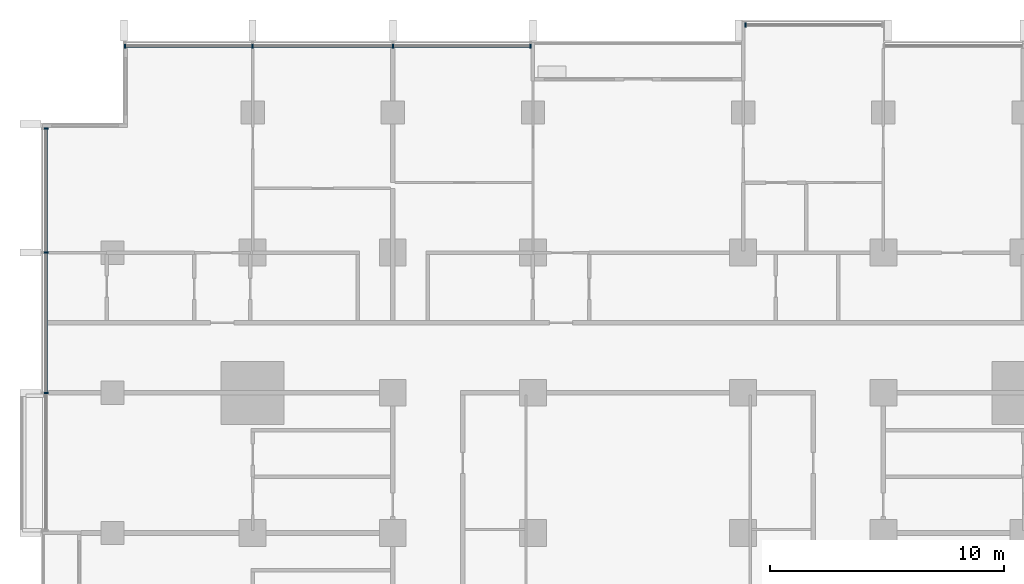
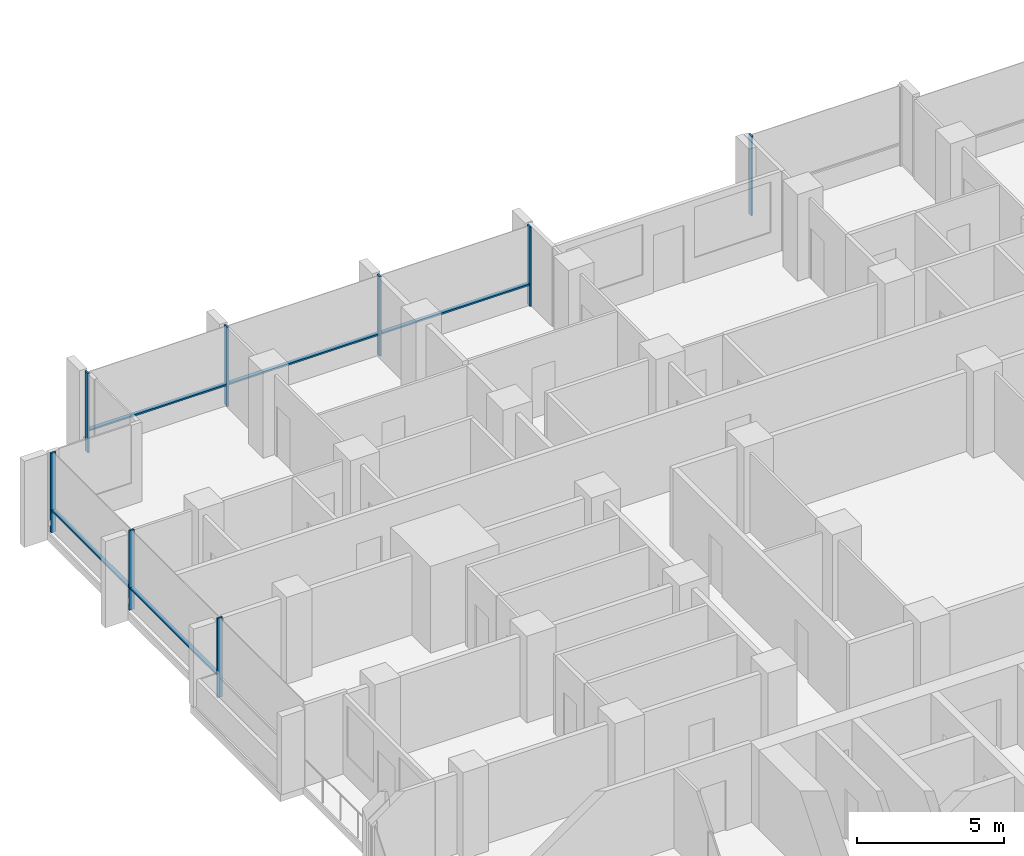
# One storey, part 4 of 17: 13 members, 3 elements without a shape of their own.
"""IFC4 building model written with IfcOpenShell, lengths in metres."""

import ifcopenshell
import ifcopenshell.guid

model = None  # the IFC model being written
_history = None  # IfcOwnerHistory: only IFC2X3 demands one
_inside = {}  # id of a spatial element -> (the spatial element, [elements in it])
_under = {}  # id of a project, library or spatial element -> (it, [spatial elements below it])
_declared = {}  # id of a project -> (the project, [libraries it declares])
_typed = {}  # id of a type object -> (the type object, [elements of that type])
_made_of = {}  # id of a material, layer set ... -> (it, [elements and type objects made of it])


def new_model(schema):
    """Start an empty IFC model of exactly this schema.

    Asked for "IFC4X3", IfcOpenShell would pick the latest addendum, in which some entities
    have other attributes; the version numbers below select the first issue.
    IFC2X3 requires an IfcOwnerHistory on every rooted entity: one is made here for all.
    """
    global model, _history
    if schema == "IFC4X3":
        model = ifcopenshell.file(schema_version=(4, 3, 0, 0))
    else:
        model = ifcopenshell.file(schema=schema)
    _inside.clear()
    _under.clear()
    _declared.clear()
    _typed.clear()
    _made_of.clear()
    _history = None
    if model.schema == "IFC2X3":
        org = make("IfcOrganization", Name="unknown")
        user = make(
            "IfcPersonAndOrganization",
            ThePerson=make("IfcPerson", FamilyName="unknown"),
            TheOrganization=org,
        )
        app = make(
            "IfcApplication",
            ApplicationDeveloper=org,
            Version="unknown",
            ApplicationFullName="unknown",
            ApplicationIdentifier="unknown",
        )
        _history = make(
            "IfcOwnerHistory",
            OwningUser=user,
            OwningApplication=app,
            ChangeAction="ADDED",
            CreationDate=0,
        )
    return model


def make(cls, **values):
    """One entity of the class cls with the attributes given. An attribute that is None is left unset."""
    return model.create_entity(
        cls, **{name: value for name, value in values.items() if value is not None}
    )


def rooted(cls, **values):
    """An entity with a GlobalId (a new one), such as an element, a storey or a relation."""
    return make(cls, GlobalId=ifcopenshell.guid.new(), OwnerHistory=_history, **values)


def si_unit(unit_type, name, prefix=None):
    """IfcSIUnit, for example si_unit("LENGTHUNIT", "METRE", prefix="MILLI")."""
    return make("IfcSIUnit", UnitType=unit_type, Prefix=prefix, Name=name)


def assignment(units):
    """IfcUnitAssignment: the units of a project."""
    return None if units is None else make("IfcUnitAssignment", Units=units)


def point(xyz):
    """IfcCartesianPoint."""
    return None if xyz is None else make("IfcCartesianPoint", Coordinates=xyz)


def direction(xyz):
    """IfcDirection."""
    return None if xyz is None else make("IfcDirection", DirectionRatios=xyz)


def frame(location, z_axis=None, x_axis=None):
    """IfcAxis2Placement3D, a coordinate frame: its origin and axes. An axis left out is left unset."""
    return make(
        "IfcAxis2Placement3D",
        Location=point(location),
        Axis=direction(z_axis),
        RefDirection=direction(x_axis),
    )


def frame_2d(location, x_axis=None):
    """IfcAxis2Placement2D, a coordinate frame in the plane: its origin and x axis."""
    return make(
        "IfcAxis2Placement2D", Location=point(location), RefDirection=direction(x_axis)
    )


def origin():
    """The frame at (0, 0, 0) with its axes left unset."""
    return frame((0.0, 0.0, 0.0))


def origin_2d():
    """The frame at (0, 0) in the plane with its x axis left unset."""
    return frame_2d((0.0, 0.0))


def place(relative_to, where):
    """IfcLocalPlacement: puts the frame where relative to a parent placement (None: the world)."""
    return make(
        "IfcLocalPlacement", PlacementRelTo=relative_to, RelativePlacement=where
    )


def context(
    kind, dimensions, precision=None, world=None, true_north=None, identifier=None
):
    """IfcGeometricRepresentationContext, for example the 3D "Model" context."""
    return make(
        "IfcGeometricRepresentationContext",
        ContextIdentifier=identifier,
        ContextType=kind,
        CoordinateSpaceDimension=dimensions,
        Precision=precision,
        WorldCoordinateSystem=world,
        TrueNorth=true_north,
    )


def subcontext(parent, identifier, kind, view, scale=None):
    """IfcGeometricRepresentationSubContext, for example "Body" below "Model"."""
    return make(
        "IfcGeometricRepresentationSubContext",
        ContextIdentifier=identifier,
        ContextType=kind,
        ParentContext=parent,
        TargetScale=scale,
        TargetView=view,
    )


def project(units=None, contexts=None):
    """IfcProject with its units and contexts."""
    return rooted(
        "IfcProject",
        Name="project",
        RepresentationContexts=contexts,
        UnitsInContext=assignment(units),
    )


def spatial(cls, under=None, at=None, **own):
    """A site, building, storey or space (cls), placed at a placement, below another one or the project."""
    s = rooted(cls, ObjectPlacement=at, **own)
    if under is not None:
        _under.setdefault(under.id(), (under, []))[1].append(s)
    return s


def profile(cls, at=None, kind="AREA", **sizes):
    """A parametric profile (cls). Its sizes go by their IFC names, for example OverallWidth=200.0."""
    return make(cls, ProfileType=kind, Position=at, **sizes)


def rectangle(**sizes):
    """IfcRectangleProfileDef."""
    return profile("IfcRectangleProfileDef", **sizes)


def extrude(swept, where, along, depth):
    """IfcExtrudedAreaSolid: the profile swept, set in the frame where, extruded along a direction by depth."""
    return make(
        "IfcExtrudedAreaSolid",
        SweptArea=swept,
        Position=where,
        ExtrudedDirection=direction(along),
        Depth=depth,
    )


def shape(context_of_items, identifier, shape_type, items):
    """IfcShapeRepresentation: the items that make up one representation, for example the "Body"."""
    return make(
        "IfcShapeRepresentation",
        ContextOfItems=context_of_items,
        RepresentationIdentifier=identifier,
        RepresentationType=shape_type,
        Items=items,
    )


def material(Name=None, Category=None):
    """IfcMaterial."""
    return make("IfcMaterial", Name=Name, Category=Category)


def material_profile(
    of_material, cross_section, Name=None, Category=None, Priority=None
):
    """IfcMaterialProfile: a cross section and its material."""
    return make(
        "IfcMaterialProfile",
        Name=Name,
        Material=of_material,
        Profile=cross_section,
        Priority=Priority,
        Category=Category,
    )


def profile_set(profiles, Name=None, composite=None):
    """IfcMaterialProfileSet."""
    return make(
        "IfcMaterialProfileSet",
        Name=Name,
        MaterialProfiles=profiles,
        CompositeProfile=composite,
    )


def made_of(thing, what):
    """Note that an element or type object is made of a material, layer set ...; save() writes the relation."""
    if what is not None:
        _made_of.setdefault(what.id(), (what, []))[1].append(thing)
    return thing


def type_object(cls, material=None, **own):
    """A type object (cls), such as IfcWallType, which elements share."""
    return made_of(rooted(cls, **own), material)


def element(
    cls,
    number,
    at=None,
    inside=None,
    cuts=None,
    type_object=None,
    material=None,
    context=None,
    identifier="Body",
    shape_type=None,
    held_by="IfcProductDefinitionShape",
    body=None,
    shapes=None,
    **own,
):
    """One element of the class cls, such as IfcWall. Its Tag is "e" and its number.

    at: its placement. inside: the storey or other place that contains it. cuts: it is an
    opening in that element (IfcRelVoidsElement). A single representation is given by context,
    identifier, shape_type and body (its items); several are given by shapes. held_by: the class
    of the entity that holds the representations. save() writes the other relations.
    """
    e = rooted(cls, Tag="e%d" % number, ObjectPlacement=at, **own)
    if body is not None:
        shapes = [shape(context, identifier, shape_type, body)]
    if shapes is not None:
        e.Representation = make(held_by, Representations=shapes)
    if inside is not None:
        _inside.setdefault(inside.id(), (inside, []))[1].append(e)
    if cuts is not None:
        rooted(
            "IfcRelVoidsElement", RelatingBuildingElement=cuts, RelatedOpeningElement=e
        )
    if type_object is not None:
        _typed.setdefault(type_object.id(), (type_object, []))[1].append(e)
    return made_of(e, material)


def aggregate(whole, parts):
    """IfcRelAggregates: a whole, such as a stair, and the parts it consists of."""
    return rooted("IfcRelAggregates", RelatingObject=whole, RelatedObjects=parts)


def save(model, path):
    """Write the relations noted so far, then the file.

    IfcRelAggregates (storeys below a building ...), IfcRelContainedInSpatialStructure (elements
    in a storey), IfcRelDefinesByType, IfcRelAssociatesMaterial and IfcRelDeclares: one each for
    every whole, place, type object, material and project.
    """
    for whole, parts in _under.values():
        aggregate(whole, parts)
    for where, things in _inside.values():
        rooted(
            "IfcRelContainedInSpatialStructure",
            RelatedElements=things,
            RelatingStructure=where,
        )
    for kind, things in _typed.values():
        rooted("IfcRelDefinesByType", RelatedObjects=things, RelatingType=kind)
    for what, things in _made_of.values():
        rooted("IfcRelAssociatesMaterial", RelatedObjects=things, RelatingMaterial=what)
    for by, libraries in _declared.values():
        rooted("IfcRelDeclares", RelatingContext=by, RelatedDefinitions=libraries)
    model.write(path)


model = new_model("IFC4")

# Units and contexts
model_context = context("Model", 3, precision=1e-05, world=origin(), true_north=direction((0.0, 1.0)))
body_context = subcontext(model_context, "Body", "Model", "MODEL_VIEW")
ifc_project = project(units=[si_unit("LENGTHUNIT", "METRE"), si_unit("AREAUNIT", "SQUARE_METRE"), si_unit("VOLUMEUNIT", "CUBIC_METRE"), si_unit("PLANEANGLEUNIT", "RADIAN"), si_unit("MASSUNIT", "GRAM", prefix="KILO")], contexts=[model_context])

# Site, building, storey
site_placement = place(None, origin())
site = spatial("IfcSite", under=ifc_project, at=site_placement, CompositionType="ELEMENT")
building_placement = place(site_placement, origin())
building = spatial("IfcBuilding", under=site, at=building_placement, Name="Finial Court Residences", CompositionType="ELEMENT")
storey_placement = place(building_placement, frame((0.0, 0.0, 99.10009765625)))
storey = spatial("IfcBuildingStorey", under=building, at=storey_placement, Name="L24", CompositionType="ELEMENT", Elevation=99.10009765625)

# Curtain wall, members
ifc_material = material(Name="Bronze anodised aluminium", Category="aluminium")
curtain_wall_type = type_object("IfcCurtainWallType", Name="Unitised curtain wall, lower and middle zones", PredefinedType="NOTDEFINED", material=ifc_material)
curtain_wall_1_placement = place(storey_placement, origin())
curtain_wall_1 = element("IfcCurtainWall", 1, at=curtain_wall_1_placement, inside=storey, type_object=curtain_wall_type, Name="E-L24-CW-N1", PredefinedType="NOTDEFINED")
ifc_material_profile_1 = material_profile(ifc_material, rectangle(XDim=0.199951171875, YDim=0.06494140625, at=origin_2d()), Name="CW1 mullion 65 x 200")
ifc_profile_set_1 = profile_set([ifc_material_profile_1], Name="Bronze anodised aluminium")
member_type_1 = type_object("IfcMemberType", Name="CW1 mullion 65 x 200", PredefinedType="MULLION", material=ifc_profile_set_1)
member_1_placement = place(storey_placement, frame((-21.967529296875, 22.35009765625, 0.0), z_axis=(0.0, 0.0, 1.0), x_axis=(0.0, 1.0, 0.0)))
member_1 = element("IfcMember", 2, at=member_1_placement, type_object=member_type_1, Name="CW1 mullion 1", PredefinedType="MULLION", context=body_context, shape_type="SweptSolid", body=[
    extrude(rectangle(XDim=0.199951171875, YDim=0.06494140625, at=origin_2d()), origin(), (0.0, 0.0, 1.0), 3.2998046875),
])
member_2_placement = place(storey_placement, frame((-16.5, 22.35009765625, 0.0), z_axis=(0.0, 0.0, 1.0), x_axis=(0.0, 1.0, 0.0)))
member_2 = element("IfcMember", 3, at=member_2_placement, type_object=member_type_1, Name="CW1 mullion 2", PredefinedType="MULLION", context=body_context, shape_type="SweptSolid", body=[
    extrude(rectangle(XDim=0.199951171875, YDim=0.06494140625, at=origin_2d()), origin(), (0.0, 0.0, 1.0), 3.2998046875),
])
member_3_placement = place(storey_placement, frame((-10.5, 22.35009765625, 0.0), z_axis=(0.0, 0.0, 1.0), x_axis=(0.0, 1.0, 0.0)))
member_3 = element("IfcMember", 4, at=member_3_placement, type_object=member_type_1, Name="CW1 mullion 3", PredefinedType="MULLION", context=body_context, shape_type="SweptSolid", body=[
    extrude(rectangle(XDim=0.199951171875, YDim=0.06494140625, at=origin_2d()), origin(), (0.0, 0.0, 1.0), 3.2998046875),
])
member_4_placement = place(storey_placement, frame((-4.607421875, 22.35009765625, 0.0), z_axis=(0.0, 0.0, 1.0), x_axis=(0.0, 1.0, 0.0)))
member_4 = element("IfcMember", 5, at=member_4_placement, type_object=member_type_1, Name="CW1 mullion 4", PredefinedType="MULLION", context=body_context, shape_type="SweptSolid", body=[
    extrude(rectangle(XDim=0.199951171875, YDim=0.06494140625, at=origin_2d()), origin(), (0.0, 0.0, 1.0), 3.2998046875),
])

# Curtain wall, member
curtain_wall_2_placement = place(storey_placement, origin())
curtain_wall_2 = element("IfcCurtainWall", 6, at=curtain_wall_2_placement, inside=storey, type_object=curtain_wall_type, Name="E-L24-CW-N2", PredefinedType="NOTDEFINED")
member_5_placement = place(storey_placement, frame((4.607421875, 23.25, 0.0), z_axis=(0.0, 0.0, 1.0), x_axis=(0.0, 1.0, 0.0)))
member_5 = element("IfcMember", 7, at=member_5_placement, type_object=member_type_1, Name="CW1 mullion 1", PredefinedType="MULLION", context=body_context, shape_type="SweptSolid", body=[
    extrude(rectangle(XDim=0.199951171875, YDim=0.06494140625, at=origin_2d()), origin(), (0.0, 0.0, 1.0), 3.2998046875),
])
aggregate(curtain_wall_2, [member_5])

# Curtain wall, members
curtain_wall_3_placement = place(storey_placement, origin())
curtain_wall_3 = element("IfcCurtainWall", 8, at=curtain_wall_3_placement, inside=storey, type_object=curtain_wall_type, Name="E-L24-CW-W12", PredefinedType="NOTDEFINED")
member_6_placement = place(storey_placement, frame((-25.35009765625, 7.5, 0.0), z_axis=(0.0, 0.0, 1.0), x_axis=(-1.0, 0.0, 0.0)))
member_6 = element("IfcMember", 9, at=member_6_placement, type_object=member_type_1, Name="CW1 mullion 2", PredefinedType="MULLION", context=body_context, shape_type="SweptSolid", body=[
    extrude(rectangle(XDim=0.199951171875, YDim=0.06494140625, at=origin_2d()), origin(), (0.0, 0.0, 1.0), 3.2998046875),
])
member_7_placement = place(storey_placement, frame((-25.35009765625, 13.5, 0.0), z_axis=(0.0, 0.0, 1.0), x_axis=(-1.0, 0.0, 0.0)))
member_7 = element("IfcMember", 10, at=member_7_placement, type_object=member_type_1, Name="CW1 mullion 3", PredefinedType="MULLION", context=body_context, shape_type="SweptSolid", body=[
    extrude(rectangle(XDim=0.199951171875, YDim=0.06494140625, at=origin_2d()), origin(), (0.0, 0.0, 1.0), 3.2998046875),
])
member_8_placement = place(storey_placement, frame((-25.35009765625, 18.8173828125, 0.0), z_axis=(0.0, 0.0, 1.0), x_axis=(-1.0, 0.0, 0.0)))
member_8 = element("IfcMember", 11, at=member_8_placement, type_object=member_type_1, Name="CW1 mullion 4", PredefinedType="MULLION", context=body_context, shape_type="SweptSolid", body=[
    extrude(rectangle(XDim=0.199951171875, YDim=0.06494140625, at=origin_2d()), origin(), (0.0, 0.0, 1.0), 3.2998046875),
])

# Member
ifc_material_profile_2 = material_profile(ifc_material, rectangle(XDim=0.14990234375, YDim=0.06494140625, at=origin_2d()), Name="CW1 transom 65 x 150")
ifc_profile_set_2 = profile_set([ifc_material_profile_2], Name="Bronze anodised aluminium")
member_type_2 = type_object("IfcMemberType", Name="CW1 transom 65 x 150", PredefinedType="USERDEFINED", material=ifc_profile_set_2)
member_9_placement = place(storey_placement, frame((-21.93505859375, 22.35009765625, 0.89990234375), z_axis=(1.0, 0.0, 0.0), x_axis=(0.0, 1.0, 0.0)))
member_9 = element("IfcMember", 12, at=member_9_placement, type_object=member_type_2, Name="CW1 transom 1.1", ObjectType="TRANSOM", PredefinedType="USERDEFINED", context=body_context, shape_type="SweptSolid", body=[
    extrude(rectangle(XDim=0.14990234375, YDim=0.06494140625, at=origin_2d()), origin(), (0.0, 0.0, 1.0), 5.402587890625),
])

member_10_placement = place(storey_placement, frame((-16.467529296875, 22.35009765625, 0.89990234375), z_axis=(1.0, 0.0, 0.0), x_axis=(0.0, 1.0, 0.0)))
member_10 = element("IfcMember", 13, at=member_10_placement, type_object=member_type_2, Name="CW1 transom 2.1", ObjectType="TRANSOM", PredefinedType="USERDEFINED", context=body_context, shape_type="SweptSolid", body=[
    extrude(rectangle(XDim=0.14990234375, YDim=0.06494140625, at=origin_2d()), origin(), (0.0, 0.0, 1.0), 5.93505859375),
])

member_11_placement = place(storey_placement, frame((-10.467529296875, 22.35009765625, 0.89990234375), z_axis=(1.0, 0.0, 0.0), x_axis=(0.0, 1.0, 0.0)))
member_11 = element("IfcMember", 14, at=member_11_placement, type_object=member_type_2, Name="CW1 transom 3.1", ObjectType="TRANSOM", PredefinedType="USERDEFINED", context=body_context, shape_type="SweptSolid", body=[
    extrude(rectangle(XDim=0.14990234375, YDim=0.06494140625, at=origin_2d()), origin(), (0.0, 0.0, 1.0), 5.82763671875),
])

aggregate(curtain_wall_1, [member_1, member_2, member_3, member_4, member_9, member_10, member_11])

member_12_placement = place(storey_placement, frame((-25.35009765625, 7.532470703125, 0.89990234375), z_axis=(0.0, 1.0, 0.0), x_axis=(-1.0, 0.0, 0.0)))
member_12 = element("IfcMember", 15, at=member_12_placement, type_object=member_type_2, Name="CW1 transom 2.1", ObjectType="TRANSOM", PredefinedType="USERDEFINED", context=body_context, shape_type="SweptSolid", body=[
    extrude(rectangle(XDim=0.14990234375, YDim=0.06494140625, at=origin_2d()), origin(), (0.0, 0.0, 1.0), 5.93505859375),
])

member_13_placement = place(storey_placement, frame((-25.35009765625, 13.532470703125, 0.89990234375), z_axis=(0.0, 1.0, 0.0), x_axis=(-1.0, 0.0, 0.0)))
member_13 = element("IfcMember", 16, at=member_13_placement, type_object=member_type_2, Name="CW1 transom 3.1", ObjectType="TRANSOM", PredefinedType="USERDEFINED", context=body_context, shape_type="SweptSolid", body=[
    extrude(rectangle(XDim=0.14990234375, YDim=0.06494140625, at=origin_2d()), origin(), (0.0, 0.0, 1.0), 5.25244140625),
])

aggregate(curtain_wall_3, [member_6, member_7, member_8, member_12, member_13])

save(model, "model.ifc")
